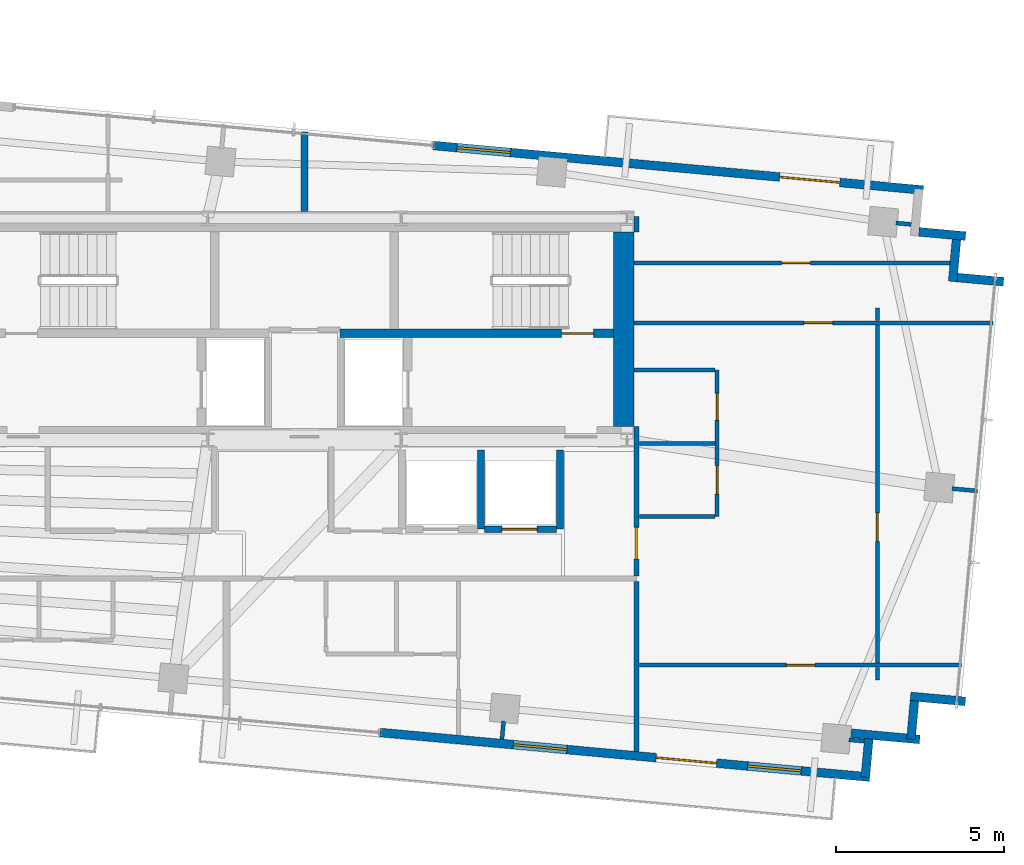
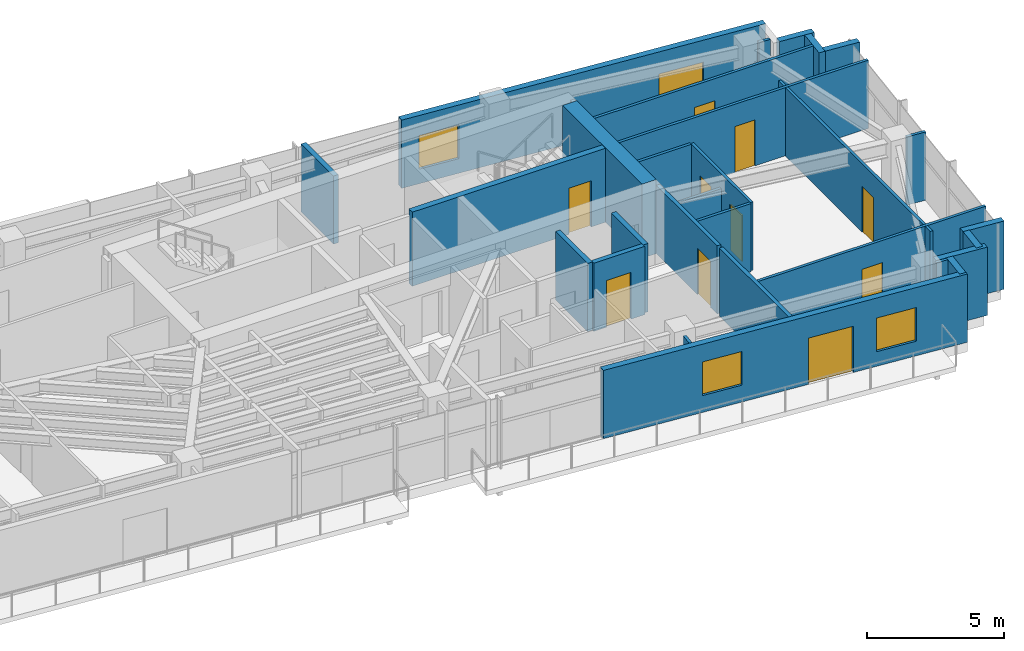
# One storey, part 18 of 22: 32 walls, 11 doors, 3 windows, 14 openings.
"""IFC4 building model written with IfcOpenShell, lengths in metres."""

from ifc_helpers import new_model, si_unit, direction, frame, frame_2d, origin, place, context, subcontext, project, spatial, rectangle, extrude, source, transform, mapped, material, layer, layer_set, type_object, type_shapes, element, fill, save


model = new_model("IFC4")

# Units and contexts
model_context = context("Model", 3, precision=1e-05, world=origin(), true_north=direction((0.0, 1.0)))
body_context = subcontext(model_context, "Body", "Model", "MODEL_VIEW")
ifc_project = project(units=[si_unit("LENGTHUNIT", "METRE"), si_unit("AREAUNIT", "SQUARE_METRE"), si_unit("VOLUMEUNIT", "CUBIC_METRE"), si_unit("PLANEANGLEUNIT", "RADIAN"), si_unit("MASSUNIT", "GRAM", prefix="KILO")], contexts=[model_context])

# Site, building, storey
site_placement = place(None, origin())
site = spatial("IfcSite", under=ifc_project, at=site_placement, CompositionType="ELEMENT")
building_placement = place(site_placement, origin())
building = spatial("IfcBuilding", under=site, at=building_placement, Name="Astriad Promenade Condominiums", CompositionType="ELEMENT")
storey_placement = place(building_placement, frame((0.0, 0.0, 216.60009765625)))
storey = spatial("IfcBuildingStorey", under=building, at=storey_placement, Name="L62", CompositionType="ELEMENT", Elevation=216.60009765625)

# Wall
ifc_material_1 = material(Name="Concrete C50/60", Category="concrete")
ifc_layer_1 = layer(ifc_material_1, 0.60009765625)
ifc_layer_set_1 = layer_set([ifc_layer_1], Name="Concrete C50/60")
wall_type_1 = type_object("IfcWallType", Name="CW-SHEAR-600", PredefinedType="SHEAR", material=ifc_layer_set_1)
wall_1_placement = place(storey_placement, frame((45.5, 17.802001953125, 0.0), z_axis=(0.0, 0.0, 1.0), x_axis=(0.0, 1.0, 0.0)))
element("IfcWall", 1, at=wall_1_placement, inside=storey, type_object=wall_type_1, Name="CW-CORE-E-L62", PredefinedType="SHEAR", context=body_context, shape_type="SweptSolid", body=[
    extrude(rectangle(XDim=5.7958984375, YDim=0.60009765625, at=frame_2d((2.89794921875, 0.0))), origin(), (0.0, 0.0, 1.0), 3.2998046875),
])

# Wall, opening, door
ifc_layer_2 = layer(ifc_material_1, 0.25)
ifc_layer_set_2 = layer_set([ifc_layer_2], Name="Concrete C50/60")
wall_type_2 = type_object("IfcWallType", Name="WALL-CORE-INT-250", PredefinedType="SOLIDWALL", material=ifc_layer_set_2)
wall_2_placement = place(storey_placement, frame((37.050048828125, 20.574951171875, 0.0), z_axis=(0.0, 0.0, 1.0), x_axis=(1.0, 0.0, 0.0)))
wall_2 = element("IfcWall", 2, at=wall_2_placement, inside=storey, type_object=wall_type_2, Name="CW-INT-H2-L62", PredefinedType="SOLIDWALL", context=body_context, shape_type="SweptSolid", body=[
    extrude(rectangle(XDim=8.14794921875, YDim=0.25, at=frame_2d((4.073974609375, 0.0))), origin(), (0.0, 0.0, 1.0), 3.2998046875),
])
opening_1_placement = place(wall_2_placement, frame((6.60009765625, 0.0, 0.0)))
opening_1 = element("IfcOpeningElement", 3, at=opening_1_placement, cuts=wall_2, Name="Opening FD90-ST-095", PredefinedType="OPENING", context=body_context, shape_type="SweptSolid", body=[
    extrude(rectangle(XDim=0.949951171875, YDim=2.06005859375, at=frame_2d((0.47509765625, 1.030029296875))), frame((0.0, 0.135009765625, 0.0), z_axis=(0.0, -1.0, 0.0), x_axis=(1.0, 0.0, 0.0)), (0.0, 0.0, 1.0), 0.27001953125),
])
ifc_material_2 = material(Name="Fire-Rated Hollow Metal Stair Door")
door_type_1 = type_object("IfcDoorType", Name="FD90-ST-095", OperationType="NOTDEFINED", PredefinedType="DOOR", material=ifc_material_2)
shared_shape_1 = source(origin(), body_context, "Body", "SweptSolid", [
    extrude(rectangle(XDim=0.949951171875, YDim=2.06005859375, at=frame_2d((0.47509765625, 1.030029296875))), frame((0.0, 0.02490234375, 0.0), z_axis=(0.0, -1.0, 0.0), x_axis=(1.0, 0.0, 0.0)), (0.0, 0.0, 1.0), 0.050048828125),
])
type_shapes(door_type_1, [shared_shape_1])
door_1_placement = place(opening_1_placement, origin())
door_1 = element("IfcDoor", 4, at=door_1_placement, inside=storey, type_object=door_type_1, Name="D-ST2-L62", OperationType="SINGLE_SWING_LEFT", OverallHeight=2.06005859375, OverallWidth=0.949951171875, PredefinedType="DOOR", context=body_context, shape_type="MappedRepresentation", body=[
    mapped(shared_shape_1, transform((0.0, 0.0, 0.0), scale=1.0)),
])
fill(opening_1, door_1)

# Wall
ifc_material_3 = material(Name="Fire-Rated Gypsum Partition")
ifc_layer_3 = layer(ifc_material_3, 0.159912109375)
ifc_layer_set_3 = layer_set([ifc_layer_3], Name="Fire-Rated Gypsum Partition")
wall_type_3 = type_object("IfcWallType", Name="WALL-CORR-160", PredefinedType="PARTITIONING", material=ifc_layer_set_3)
wall_3_placement = place(storey_placement, frame((45.8798828125, 8.135986328125, 0.0), z_axis=(0.0, 0.0, 1.0), x_axis=(0.0, 1.0, 0.0)))
element("IfcWall", 5, at=wall_3_placement, inside=storey, type_object=wall_type_3, Name="PT-COR-E-L62", PredefinedType="PARTITIONING", context=body_context, shape_type="SweptSolid", body=[
    extrude(rectangle(XDim=5.06201171875, YDim=0.159912109375, at=frame_2d((2.531005859375, 0.0))), origin(), (0.0, 0.0, 1.0), 3.039794921875),
])

# Wall, opening, door
wall_4_placement = place(storey_placement, frame((45.8798828125, 13.362060546875, 0.0), z_axis=(0.0, 0.0, 1.0), x_axis=(0.0, 1.0, 0.0)))
wall_4 = element("IfcWall", 6, at=wall_4_placement, inside=storey, type_object=wall_type_3, Name="PT-COR-E-L62-S2", PredefinedType="PARTITIONING", context=body_context, shape_type="SweptSolid", body=[
    extrude(rectangle(XDim=4.43994140625, YDim=0.159912109375, at=frame_2d((2.219970703125, 0.0))), origin(), (0.0, 0.0, 1.0), 3.039794921875),
])
opening_2_placement = place(wall_4_placement, frame((0.492919921875, 0.0, 0.0)))
opening_2 = element("IfcOpeningElement", 7, at=opening_2_placement, cuts=wall_4, Name="Opening FD60-APT-095", PredefinedType="OPENING", context=body_context, shape_type="SweptSolid", body=[
    extrude(rectangle(XDim=0.949951171875, YDim=2.06005859375, at=frame_2d((0.47509765625, 1.030029296875))), frame((0.0, 0.08984375, 0.0), z_axis=(0.0, -1.0, 0.0), x_axis=(1.0, 0.0, 0.0)), (0.0, 0.0, 1.0), 0.179931640625),
])
ifc_material_4 = material(Name="Solid-Core Acoustic Timber Residence Entry Door", Category="wood")
door_type_2 = type_object("IfcDoorType", Name="FD60-APT-095", OperationType="NOTDEFINED", PredefinedType="DOOR", material=ifc_material_4)
shared_shape_2 = source(origin(), body_context, "Body", "SweptSolid", [
    extrude(rectangle(XDim=0.949951171875, YDim=2.06005859375, at=frame_2d((0.47509765625, 1.030029296875))), frame((0.0, 0.02490234375, 0.0), z_axis=(0.0, -1.0, 0.0), x_axis=(1.0, 0.0, 0.0)), (0.0, 0.0, 1.0), 0.050048828125),
])
type_shapes(door_type_2, [shared_shape_2])
door_2_placement = place(opening_2_placement, origin())
door_2 = element("IfcDoor", 8, at=door_2_placement, inside=storey, type_object=door_type_2, Name="D-ENT-L62-E1", OperationType="SINGLE_SWING_RIGHT", OverallHeight=2.06005859375, OverallWidth=0.949951171875, PredefinedType="DOOR", context=body_context, shape_type="MappedRepresentation", body=[
    mapped(shared_shape_2, transform((0.0, 0.0, 0.0), scale=1.0)),
])
fill(opening_2, door_2)

# Walls
wall_5_placement = place(storey_placement, frame((45.8798828125, 23.597900390625, 0.0), z_axis=(0.0, 0.0, 1.0), x_axis=(0.0, 1.0, 0.0)))
element("IfcWall", 9, at=wall_5_placement, inside=storey, type_object=wall_type_3, Name="PT-COR-E-L62-S3", PredefinedType="PARTITIONING", context=body_context, shape_type="SweptSolid", body=[
    extrude(rectangle(XDim=0.4521484375, YDim=0.159912109375, at=frame_2d((0.22607421875, 0.0))), origin(), (0.0, 0.0, 1.0), 3.039794921875),
])
ifc_material_5 = material(Name="Acoustic Double-Stud Gypsum Partition")
ifc_layer_4 = layer(ifc_material_5, 0.199951171875)
ifc_layer_set_4 = layer_set([ifc_layer_4], Name="Acoustic Double-Stud Gypsum Partition")
wall_type_4 = type_object("IfcWallType", Name="WALL-DEMISING-200", PredefinedType="PARTITIONING", material=ifc_layer_set_4)
wall_6_placement = place(storey_placement, frame((36.0, 24.201904296875, 0.0), z_axis=(0.0, 0.0, 1.0), x_axis=(0.0, 1.0, 0.0)))
element("IfcWall", 10, at=wall_6_placement, inside=storey, type_object=wall_type_4, Name="PT-NC-MID-L62", PredefinedType="PARTITIONING", context=body_context, shape_type="SweptSolid", body=[
    extrude(rectangle(XDim=2.36328125, YDim=0.199951171875, at=frame_2d((1.181640625, 0.0))), origin(), (0.0, 0.0, 1.0), 3.039794921875),
])

# Wall, openings, door, window
ifc_material_6 = material(Name="Precast concrete C50/60", Category="concrete")
ifc_layer_5 = layer(ifc_material_6, 0.260009765625)
ifc_layer_set_5 = layer_set([ifc_layer_5], Name="Precast concrete C50/60")
wall_type_5 = type_object("IfcWallType", Name="WALL-EXT-TWR-260", PredefinedType="STANDARD", material=ifc_layer_set_5)
wall_7_placement = place(storey_placement, frame((39.839111328125, 26.16552734375, 0.0), z_axis=(0.0, 0.0, 1.0), x_axis=(0.995884447498, -0.090632043071, 0.0)))
wall_7 = element("IfcWall", 11, at=wall_7_placement, inside=storey, type_object=wall_type_5, Name="W-EXT-L62-N2", PredefinedType="STANDARD", context=body_context, shape_type="SweptSolid", body=[
    extrude(rectangle(XDim=14.6298828125, YDim=0.260009765625, at=frame_2d((7.31494140625, 0.0))), origin(), (0.0, 0.0, 1.0), 3.039794921875),
])
opening_3_placement = place(wall_7_placement, frame((10.340087890625, 0.0, 0.0)))
opening_3 = element("IfcOpeningElement", 12, at=opening_3_placement, cuts=wall_7, Name="Opening BD-1822-SLD", PredefinedType="OPENING", context=body_context, shape_type="SweptSolid", body=[
    extrude(rectangle(XDim=1.800048828125, YDim=2.06005859375, at=frame_2d((0.89990234375, 1.030029296875))), frame((0.0, 0.139892578125, 0.0), z_axis=(0.0, -1.0, 0.0), x_axis=(1.0, 0.0, 0.0)), (0.0, 0.0, 1.0), 0.280029296875),
])
opening_4_placement = place(wall_7_placement, frame((0.699951171875, 0.0, 0.64990234375)))
opening_4 = element("IfcOpeningElement", 13, at=opening_4_placement, cuts=wall_7, Name="Opening WIN-TWR-1620", PredefinedType="OPENING", context=body_context, shape_type="SweptSolid", body=[
    extrude(rectangle(XDim=1.60009765625, YDim=1.5, at=frame_2d((0.800048828125, 0.75))), frame((0.0, 0.139892578125, 0.0), z_axis=(0.0, -1.0, 0.0), x_axis=(1.0, 0.0, 0.0)), (0.0, 0.0, 1.0), 0.280029296875),
])
ifc_material_7 = material(Name="Thermally Broken Aluminium Sliding Balcony Door", Category="aluminium")
door_type_3 = type_object("IfcDoorType", Name="BD-1822-SLD", OperationType="NOTDEFINED", PredefinedType="DOOR", material=ifc_material_7)
shared_shape_3 = source(origin(), body_context, "Body", "SweptSolid", [
    extrude(rectangle(XDim=1.800048828125, YDim=2.06005859375, at=frame_2d((0.89990234375, 1.030029296875))), frame((0.0, 0.02490234375, 0.0), z_axis=(0.0, -1.0, 0.0), x_axis=(1.0, 0.0, 0.0)), (0.0, 0.0, 1.0), 0.050048828125),
])
type_shapes(door_type_3, [shared_shape_3])
door_3_placement = place(opening_3_placement, origin())
door_3 = element("IfcDoor", 14, at=door_3_placement, inside=storey, type_object=door_type_3, Name="BD-L62-NE", OperationType="SLIDING_TO_RIGHT", OverallHeight=2.06005859375, OverallWidth=1.800048828125, PredefinedType="DOOR", context=body_context, shape_type="MappedRepresentation", body=[
    mapped(shared_shape_3, transform((0.0, 0.0, 0.0), scale=1.0)),
])
fill(opening_3, door_3)
ifc_material_8 = material(Name="Dark Tinted Triple-Glazed Aluminium Window", Category="aluminium")
window_type = type_object("IfcWindowType", Name="WIN-TWR-1620", PartitioningType="SINGLE_PANEL", PredefinedType="WINDOW", material=ifc_material_8)
shared_shape_4 = source(origin(), body_context, "Body", "SweptSolid", [
    extrude(rectangle(XDim=1.60009765625, YDim=1.5, at=frame_2d((0.800048828125, 0.75))), frame((0.0, 0.030029296875, 0.0), z_axis=(0.0, -1.0, 0.0), x_axis=(1.0, 0.0, 0.0)), (0.0, 0.0, 1.0), 0.06005859375),
])
type_shapes(window_type, [shared_shape_4])
window_1_placement = place(opening_4_placement, origin())
window_1 = element("IfcWindow", 15, at=window_1_placement, inside=storey, type_object=window_type, Name="WIN-L62-NE", OverallHeight=1.5, OverallWidth=1.60009765625, PartitioningType="SINGLE_PANEL", PredefinedType="WINDOW", context=body_context, shape_type="MappedRepresentation", body=[
    mapped(shared_shape_4, transform((0.0, 0.0, 0.0), scale=1.0)),
])
fill(opening_4, window_1)

# Walls
for number, where, z_axis, x_axis, name in (
    (16, (54.280517578125, 23.59619140625, 0.0), (0.0, 0.0, 1.0), (0.995883159782, -0.090646191665, 0.0), "W-SER-L62-10"),
    (17, (55.412353515625, 23.50830078125, 0.0), (0.0, 0.0, 1.0), (-0.090646191665, -0.995883159782, 0.0), "W-SER-L62-11"),
    (18, (55.412109375, 22.238037109375, 0.0), (0.0, 0.0, 1.0), (0.995883159782, -0.090646191665, 0.0), "W-SER-L62-12"),
):
    element("IfcWall", number, at=place(storey_placement, frame(where, z_axis=z_axis, x_axis=x_axis)), inside=storey, type_object=wall_type_5, Name=name, PredefinedType="STANDARD", context=body_context, shape_type="SweptSolid", body=[
        extrude(rectangle(XDim=1.395263671875, YDim=0.260009765625, at=frame_2d((0.69775390625, 0.0))), origin(), (0.0, 0.0, 1.0), 3.039794921875),
    ])
wall_8_placement = place(storey_placement, frame((55.664794921875, 9.623291015625, 0.0), z_axis=(0.0, 0.0, 1.0), x_axis=(-0.995880993864, 0.090669984342, 0.0)))
element("IfcWall", 19, at=wall_8_placement, inside=storey, type_object=wall_type_5, Name="W-SER-L62-14", PredefinedType="STANDARD", context=body_context, shape_type="SweptSolid", body=[
    extrude(rectangle(XDim=1.639892578125, YDim=0.260009765625, at=frame_2d((0.81982421875, 0.0))), origin(), (0.0, 0.0, 1.0), 3.039794921875),
])
wall_9_placement = place(storey_placement, frame((54.150634765625, 9.6455078125, 0.0), z_axis=(0.0, 0.0, 1.0), x_axis=(-0.090650594353, -0.995882759035, 0.0)))
element("IfcWall", 20, at=wall_9_placement, inside=storey, type_object=wall_type_5, Name="W-SER-L62-15", PredefinedType="STANDARD", context=body_context, shape_type="SweptSolid", body=[
    extrude(rectangle(XDim=1.14990234375, YDim=0.260009765625, at=frame_2d((0.574951171875, 0.0))), origin(), (0.0, 0.0, 1.0), 3.039794921875),
])
wall_10_placement = place(storey_placement, frame((54.306884765625, 8.49169921875, 0.0), z_axis=(0.0, 0.0, 1.0), x_axis=(-0.995886380831, 0.09061079668, 0.0)))
element("IfcWall", 21, at=wall_10_placement, inside=storey, type_object=wall_type_5, Name="W-SER-L62-16", PredefinedType="STANDARD", context=body_context, shape_type="SweptSolid", body=[
    extrude(rectangle(XDim=2.05322265625, YDim=0.260009765625, at=frame_2d((1.026611328125, 0.0))), origin(), (0.0, 0.0, 1.0), 3.039794921875),
])
wall_11_placement = place(storey_placement, frame((52.79248046875, 8.513916015625, 0.0), z_axis=(0.0, 0.0, 1.0), x_axis=(-0.090650594353, -0.995882759035, 0.0)))
element("IfcWall", 22, at=wall_11_placement, inside=storey, type_object=wall_type_5, Name="W-SER-L62-17", PredefinedType="STANDARD", context=body_context, shape_type="SweptSolid", body=[
    extrude(rectangle(XDim=1.14990234375, YDim=0.260009765625, at=frame_2d((0.574951171875, 0.0))), origin(), (0.0, 0.0, 1.0), 3.039794921875),
])

# Wall, openings, door, windows
wall_12_placement = place(storey_placement, frame((52.819091796875, 7.371826171875, 0.0), z_axis=(0.0, 0.0, 1.0), x_axis=(-0.995884447498, 0.090632043071, 0.0)))
wall_12 = element("IfcWall", 23, at=wall_12_placement, inside=storey, type_object=wall_type_5, Name="W-EXT-L62-S1", PredefinedType="STANDARD", context=body_context, shape_type="SweptSolid", body=[
    extrude(rectangle(XDim=14.6298828125, YDim=0.260009765625, at=frame_2d((7.31494140625, 0.0))), origin(), (0.0, 0.0, 1.0), 3.039794921875),
])
opening_5_placement = place(wall_12_placement, frame((4.5791015625, 0.0, 0.0)))
opening_5 = element("IfcOpeningElement", 24, at=opening_5_placement, cuts=wall_12, Name="Opening BD-1822-SLD", PredefinedType="OPENING", context=body_context, shape_type="SweptSolid", body=[
    extrude(rectangle(XDim=1.800048828125, YDim=2.06005859375, at=frame_2d((0.89990234375, 1.030029296875))), frame((0.0, 0.139892578125, 0.0), z_axis=(0.0, -1.0, 0.0), x_axis=(1.0, 0.0, 0.0)), (0.0, 0.0, 1.0), 0.280029296875),
])
opening_6_placement = place(wall_12_placement, frame((2.050048828125, 0.0, 0.64990234375)))
opening_6 = element("IfcOpeningElement", 25, at=opening_6_placement, cuts=wall_12, Name="Opening WIN-TWR-1620", PredefinedType="OPENING", context=body_context, shape_type="SweptSolid", body=[
    extrude(rectangle(XDim=1.60009765625, YDim=1.5, at=frame_2d((0.800048828125, 0.75))), frame((0.0, 0.139892578125, 0.0), z_axis=(0.0, -1.0, 0.0), x_axis=(1.0, 0.0, 0.0)), (0.0, 0.0, 1.0), 0.280029296875),
])
opening_7_placement = place(wall_12_placement, frame((9.048095703125, 0.0, 0.75)))
opening_7 = element("IfcOpeningElement", 26, at=opening_7_placement, cuts=wall_12, Name="Opening WIN-TWR-1620", PredefinedType="OPENING", context=body_context, shape_type="SweptSolid", body=[
    extrude(rectangle(XDim=1.60009765625, YDim=1.5, at=frame_2d((0.800048828125, 0.75))), frame((0.0, 0.139892578125, 0.0), z_axis=(0.0, -1.0, 0.0), x_axis=(1.0, 0.0, 0.0)), (0.0, 0.0, 1.0), 0.280029296875),
])
door_4_placement = place(opening_5_placement, origin())
door_4 = element("IfcDoor", 27, at=door_4_placement, inside=storey, type_object=door_type_3, Name="BD-L62-SE", OperationType="SLIDING_TO_RIGHT", OverallHeight=2.06005859375, OverallWidth=1.800048828125, PredefinedType="DOOR", context=body_context, shape_type="MappedRepresentation", body=[
    mapped(shared_shape_3, transform((0.0, 0.0, 0.0), scale=1.0)),
])
fill(opening_5, door_4)
window_2_placement = place(opening_6_placement, origin())
window_2 = element("IfcWindow", 28, at=window_2_placement, inside=storey, type_object=window_type, Name="WIN-L62-SE", OverallHeight=1.5, OverallWidth=1.60009765625, PartitioningType="SINGLE_PANEL", PredefinedType="WINDOW", context=body_context, shape_type="MappedRepresentation", body=[
    mapped(shared_shape_4, transform((0.0, 0.0, 0.0), scale=1.0)),
])
fill(opening_6, window_2)
window_3_placement = place(opening_7_placement, origin())
window_3 = element("IfcWindow", 29, at=window_3_placement, inside=storey, type_object=window_type, Name="WIN-DW-L62-S2-BD1", OverallHeight=1.5, OverallWidth=1.60009765625, PartitioningType="SINGLE_PANEL", PredefinedType="WINDOW", context=body_context, shape_type="MappedRepresentation", body=[
    mapped(shared_shape_4, transform((0.0, 0.0, 0.0), scale=1.0)),
])
fill(opening_7, window_3)

# Wall, openings, doors
ifc_material_9 = material(Name="Acoustic Metal-Stud Gypsum Partition")
ifc_layer_6 = layer(ifc_material_9, 0.1201171875)
ifc_layer_set_6 = layer_set([ifc_layer_6], Name="Acoustic Metal-Stud Gypsum Partition")
wall_type_6 = type_object("IfcWallType", Name="WALL-PART-120", PredefinedType="PARTITIONING", material=ifc_layer_set_6)
wall_13_placement = place(storey_placement, frame((48.280029296875, 15.1298828125, 0.0), z_axis=(0.0, 0.0, 1.0), x_axis=(0.0, 1.0, 0.0)))
wall_13 = element("IfcWall", 30, at=wall_13_placement, inside=storey, type_object=wall_type_6, Name="PT-L62-E1-PV", PredefinedType="PARTITIONING", context=body_context, shape_type="SweptSolid", body=[
    extrude(rectangle(XDim=4.35009765625, YDim=0.1201171875, at=frame_2d((2.175048828125, 0.0))), origin(), (0.0, 0.0, 1.0), 3.039794921875),
])
opening_8_placement = place(wall_13_placement, frame((0.6630859375, 0.0, 0.0)))
opening_8 = element("IfcOpeningElement", 31, at=opening_8_placement, cuts=wall_13, Name="Opening D-INT-085", PredefinedType="OPENING", context=body_context, shape_type="SweptSolid", body=[
    extrude(rectangle(XDim=0.85009765625, YDim=2.050048828125, at=frame_2d((0.425048828125, 1.02490234375))), frame((0.0, 0.070068359375, 0.0), z_axis=(0.0, -1.0, 0.0), x_axis=(1.0, 0.0, 0.0)), (0.0, 0.0, 1.0), 0.14013671875),
])
opening_9_placement = place(wall_13_placement, frame((2.862060546875, 0.0, 0.0)))
opening_9 = element("IfcOpeningElement", 32, at=opening_9_placement, cuts=wall_13, Name="Opening D-WET-080", PredefinedType="OPENING", context=body_context, shape_type="SweptSolid", body=[
    extrude(rectangle(XDim=0.800048828125, YDim=2.02001953125, at=frame_2d((0.39990234375, 1.010009765625))), frame((0.0, 0.070068359375, 0.0), z_axis=(0.0, -1.0, 0.0), x_axis=(1.0, 0.0, 0.0)), (0.0, 0.0, 1.0), 0.14013671875),
])
ifc_material_10 = material(Name="Moisture-Resistant Timber Bathroom Door", Category="wood")
door_type_4 = type_object("IfcDoorType", Name="D-WET-080", OperationType="NOTDEFINED", PredefinedType="DOOR", material=ifc_material_10)
shared_shape_5 = source(origin(), body_context, "Body", "SweptSolid", [
    extrude(rectangle(XDim=0.800048828125, YDim=2.02001953125, at=frame_2d((0.39990234375, 1.010009765625))), frame((0.0, 0.02490234375, 0.0), z_axis=(0.0, -1.0, 0.0), x_axis=(1.0, 0.0, 0.0)), (0.0, 0.0, 1.0), 0.050048828125),
])
type_shapes(door_type_4, [shared_shape_5])
door_5_placement = place(opening_9_placement, origin())
door_5 = element("IfcDoor", 33, at=door_5_placement, inside=storey, type_object=door_type_4, Name="D-BTH-L62-E1", OperationType="SINGLE_SWING_RIGHT", OverallHeight=2.02001953125, OverallWidth=0.800048828125, PredefinedType="DOOR", context=body_context, shape_type="MappedRepresentation", body=[
    mapped(shared_shape_5, transform((0.0, 0.0, 0.0), scale=1.0)),
])
fill(opening_9, door_5)
ifc_material_11 = material(Name="Painted Solid-Core Timber Room Door", Category="wood")
door_type_5 = type_object("IfcDoorType", Name="D-INT-085", OperationType="NOTDEFINED", PredefinedType="DOOR", material=ifc_material_11)
shared_shape_6 = source(origin(), body_context, "Body", "SweptSolid", [
    extrude(rectangle(XDim=0.85009765625, YDim=2.050048828125, at=frame_2d((0.425048828125, 1.02490234375))), frame((0.0, 0.02490234375, 0.0), z_axis=(0.0, -1.0, 0.0), x_axis=(1.0, 0.0, 0.0)), (0.0, 0.0, 1.0), 0.050048828125),
])
type_shapes(door_type_5, [shared_shape_6])
door_6_placement = place(opening_8_placement, origin())
door_6 = element("IfcDoor", 34, at=door_6_placement, inside=storey, type_object=door_type_5, Name="D-KIT-L62-E1", OperationType="SINGLE_SWING_LEFT", OverallHeight=2.050048828125, OverallWidth=0.85009765625, PredefinedType="DOOR", context=body_context, shape_type="MappedRepresentation", body=[
    mapped(shared_shape_6, transform((0.0, 0.0, 0.0), scale=1.0)),
])
fill(opening_8, door_6)

# Walls
wall_14_placement = place(storey_placement, frame((45.9619140625, 17.304931640625, 0.0), z_axis=(0.0, 0.0, 1.0), x_axis=(1.0, 0.0, 0.0)))
element("IfcWall", 35, at=wall_14_placement, inside=storey, type_object=wall_type_6, Name="PT-L62-E1-PM", PredefinedType="PARTITIONING", context=body_context, shape_type="SweptSolid", body=[
    extrude(rectangle(XDim=2.256103515625, YDim=0.1201171875, at=frame_2d((1.1279296875, 0.0))), origin(), (0.0, 0.0, 1.0), 2.38134765625),
])
wall_15_placement = place(storey_placement, frame((45.9619140625, 15.1298828125, 0.0), z_axis=(0.0, 0.0, 1.0), x_axis=(1.0, 0.0, 0.0)))
element("IfcWall", 36, at=wall_15_placement, inside=storey, type_object=wall_type_6, Name="PT-L62-E1-PS", PredefinedType="PARTITIONING", context=body_context, shape_type="SweptSolid", body=[
    extrude(rectangle(XDim=2.256103515625, YDim=0.1201171875, at=frame_2d((1.1279296875, 0.0))), origin(), (0.0, 0.0, 1.0), 3.039794921875),
])
wall_16_placement = place(storey_placement, frame((45.802001953125, 19.47998046875, 0.0), z_axis=(0.0, 0.0, 1.0), x_axis=(1.0, 0.0, 0.0)))
element("IfcWall", 37, at=wall_16_placement, inside=storey, type_object=wall_type_6, Name="PT-L62-E1-PN", PredefinedType="PARTITIONING", context=body_context, shape_type="SweptSolid", body=[
    extrude(rectangle(XDim=2.416015625, YDim=0.1201171875, at=frame_2d((1.2080078125, 0.0))), origin(), (0.0, 0.0, 1.0), 3.039794921875),
])

# Wall, opening, door
wall_17_placement = place(storey_placement, frame((45.802001953125, 22.673095703125, 0.0), z_axis=(0.0, 0.0, 1.0), x_axis=(1.0, 0.0, 0.0)))
wall_17 = element("IfcWall", 38, at=wall_17_placement, inside=storey, type_object=wall_type_6, Name="PT-L62-E1-WDN1", PredefinedType="PARTITIONING", context=body_context, shape_type="SweptSolid", body=[
    extrude(rectangle(XDim=9.401611328125, YDim=0.1201171875, at=frame_2d((4.70068359375, 0.0))), origin(), (0.0, 0.0, 1.0), 3.039794921875),
])
opening_10_placement = place(wall_17_placement, frame((4.39697265625, 0.0, 0.0)))
opening_10 = element("IfcOpeningElement", 39, at=opening_10_placement, cuts=wall_17, Name="Opening D-INT-085", PredefinedType="OPENING", context=body_context, shape_type="SweptSolid", body=[
    extrude(rectangle(XDim=0.85009765625, YDim=2.050048828125, at=frame_2d((0.425048828125, 1.02490234375))), frame((0.0, 0.070068359375, 0.0), z_axis=(0.0, -1.0, 0.0), x_axis=(1.0, 0.0, 0.0)), (0.0, 0.0, 1.0), 0.14013671875),
])
door_7_placement = place(opening_10_placement, origin())
door_7 = element("IfcDoor", 40, at=door_7_placement, inside=storey, type_object=door_type_5, Name="D-WDN1-L62-E1", OperationType="SINGLE_SWING_LEFT", OverallHeight=2.050048828125, OverallWidth=0.85009765625, PredefinedType="DOOR", context=body_context, shape_type="MappedRepresentation", body=[
    mapped(shared_shape_6, transform((0.0, 0.0, 0.0), scale=1.0)),
])
fill(opening_10, door_7)

wall_18_placement = place(storey_placement, frame((45.9619140625, 10.701904296875, 0.0), z_axis=(0.0, 0.0, 1.0), x_axis=(1.0, 0.0, 0.0)))
wall_18 = element("IfcWall", 41, at=wall_18_placement, inside=storey, type_object=wall_type_6, Name="PT-L62-E1-WDS2", PredefinedType="PARTITIONING", context=body_context, shape_type="SweptSolid", body=[
    extrude(rectangle(XDim=9.59033203125, YDim=0.1201171875, at=frame_2d((4.795166015625, 0.0))), origin(), (0.0, 0.0, 1.0), 3.039794921875),
])
opening_11_placement = place(wall_18_placement, frame((4.3759765625, 0.0, 0.0)))
opening_11 = element("IfcOpeningElement", 42, at=opening_11_placement, cuts=wall_18, Name="Opening D-INT-085", PredefinedType="OPENING", context=body_context, shape_type="SweptSolid", body=[
    extrude(rectangle(XDim=0.85009765625, YDim=2.050048828125, at=frame_2d((0.425048828125, 1.02490234375))), frame((0.0, 0.070068359375, 0.0), z_axis=(0.0, -1.0, 0.0), x_axis=(1.0, 0.0, 0.0)), (0.0, 0.0, 1.0), 0.14013671875),
])
door_8_placement = place(opening_11_placement, origin())
door_8 = element("IfcDoor", 43, at=door_8_placement, inside=storey, type_object=door_type_5, Name="D-WDS2-L62-E1", OperationType="SINGLE_SWING_RIGHT", OverallHeight=2.050048828125, OverallWidth=0.85009765625, PredefinedType="DOOR", context=body_context, shape_type="MappedRepresentation", body=[
    mapped(shared_shape_6, transform((0.0, 0.0, 0.0), scale=1.0)),
])
fill(opening_11, door_8)

wall_19_placement = place(storey_placement, frame((45.802001953125, 20.889892578125, 0.0), z_axis=(0.0, 0.0, 1.0), x_axis=(1.0, 0.0, 0.0)))
wall_19 = element("IfcWall", 44, at=wall_19_placement, inside=storey, type_object=wall_type_6, Name="PT-L62-E1-WDN3", PredefinedType="PARTITIONING", context=body_context, shape_type="SweptSolid", body=[
    extrude(rectangle(XDim=10.67724609375, YDim=0.1201171875, at=frame_2d((5.338623046875, 0.0))), origin(), (0.0, 0.0, 1.0), 3.039794921875),
])
opening_12_placement = place(wall_19_placement, frame((5.06201171875, 0.0, 0.0)))
opening_12 = element("IfcOpeningElement", 45, at=opening_12_placement, cuts=wall_19, Name="Opening D-INT-085", PredefinedType="OPENING", context=body_context, shape_type="SweptSolid", body=[
    extrude(rectangle(XDim=0.85009765625, YDim=2.050048828125, at=frame_2d((0.425048828125, 1.02490234375))), frame((0.0, 0.070068359375, 0.0), z_axis=(0.0, -1.0, 0.0), x_axis=(1.0, 0.0, 0.0)), (0.0, 0.0, 1.0), 0.14013671875),
])
door_9_placement = place(opening_12_placement, origin())
door_9 = element("IfcDoor", 46, at=door_9_placement, inside=storey, type_object=door_type_5, Name="D-WDN3-L62-E1", OperationType="SINGLE_SWING_LEFT", OverallHeight=2.050048828125, OverallWidth=0.85009765625, PredefinedType="DOOR", context=body_context, shape_type="MappedRepresentation", body=[
    mapped(shared_shape_6, transform((0.0, 0.0, 0.0), scale=1.0)),
])
fill(opening_12, door_9)

# Wall
wall_20_placement = place(storey_placement, frame((53.0439453125, 10.261962890625, 0.0), z_axis=(0.0, 0.0, 1.0), x_axis=(0.0, 1.0, 0.0)))
element("IfcWall", 47, at=wall_20_placement, inside=storey, type_object=wall_type_6, Name="PT-L62-E1-WDV4", PredefinedType="PARTITIONING", context=body_context, shape_type="SweptSolid", body=[
    extrude(rectangle(XDim=0.3779296875, YDim=0.1201171875, at=frame_2d((0.18896484375, 0.0))), origin(), (0.0, 0.0, 1.0), 3.039794921875),
])

# Wall, opening, door
wall_21_placement = place(storey_placement, frame((53.0439453125, 10.763916015625, 0.0), z_axis=(0.0, 0.0, 1.0), x_axis=(0.0, 1.0, 0.0)))
wall_21 = element("IfcWall", 48, at=wall_21_placement, inside=storey, type_object=wall_type_6, Name="PT-L62-E1-WDV4-S2", PredefinedType="PARTITIONING", context=body_context, shape_type="SweptSolid", body=[
    extrude(rectangle(XDim=10.06396484375, YDim=0.1201171875, at=frame_2d((5.031982421875, 0.0))), origin(), (0.0, 0.0, 1.0), 3.039794921875),
])
opening_13_placement = place(wall_21_placement, frame((3.6201171875, 0.0, 0.0)))
opening_13 = element("IfcOpeningElement", 49, at=opening_13_placement, cuts=wall_21, Name="Opening D-INT-085", PredefinedType="OPENING", context=body_context, shape_type="SweptSolid", body=[
    extrude(rectangle(XDim=0.85009765625, YDim=2.050048828125, at=frame_2d((0.425048828125, 1.02490234375))), frame((0.0, 0.070068359375, 0.0), z_axis=(0.0, -1.0, 0.0), x_axis=(1.0, 0.0, 0.0)), (0.0, 0.0, 1.0), 0.14013671875),
])
door_10_placement = place(opening_13_placement, origin())
door_10 = element("IfcDoor", 50, at=door_10_placement, inside=storey, type_object=door_type_5, Name="D-WDV4-L62-E1", OperationType="SINGLE_SWING_RIGHT", OverallHeight=2.050048828125, OverallWidth=0.85009765625, PredefinedType="DOOR", context=body_context, shape_type="MappedRepresentation", body=[
    mapped(shared_shape_6, transform((0.0, 0.0, 0.0), scale=1.0)),
])
fill(opening_13, door_10)

# Walls
wall_22_placement = place(storey_placement, frame((53.0439453125, 20.951904296875, 0.0), z_axis=(0.0, 0.0, 1.0), x_axis=(0.0, 1.0, 0.0)))
element("IfcWall", 51, at=wall_22_placement, inside=storey, type_object=wall_type_6, Name="PT-L62-E1-WDV4-S3", PredefinedType="PARTITIONING", context=body_context, shape_type="SweptSolid", body=[
    extrude(rectangle(XDim=0.378173828125, YDim=0.1201171875, at=frame_2d((0.18896484375, 0.0))), origin(), (0.0, 0.0, 1.0), 3.039794921875),
])
wall_23_placement = place(storey_placement, frame((41.92529296875, 9.0361328125, 0.0), z_axis=(0.0, 0.0, 1.0), x_axis=(-0.090740281653, -0.995874591144, 0.0)))
element("IfcWall", 52, at=wall_23_placement, inside=storey, type_object=wall_type_6, Name="PT-PIL-L62-PC04-11", PredefinedType="PARTITIONING", context=body_context, shape_type="SweptSolid", body=[
    extrude(rectangle(XDim=0.5380859375, YDim=0.1201171875, at=frame_2d((0.26904296875, 0.0))), origin(), (0.0, 0.0, 1.0), 3.039794921875),
])
for number, where, z_axis, x_axis, name in (
    (53, (52.197265625, 8.48291015625, 0.0), (0.0, 0.0, 1.0), (0.995884462012, -0.090631883588, 0.0), "PT-PIL-L62-PC05-12"),
    (54, (53.5966796875, 23.859375, 0.0), (0.0, 0.0, 1.0), (0.995884462012, -0.090631883588, 0.0), "PT-PIL-L62-PC10-17"),
):
    element("IfcWall", number, at=place(storey_placement, frame(where, z_axis=z_axis, x_axis=x_axis)), inside=storey, type_object=wall_type_6, Name=name, PredefinedType="PARTITIONING", context=body_context, shape_type="SweptSolid", body=[
        extrude(rectangle(XDim=0.4580078125, YDim=0.1201171875, at=frame_2d((0.22900390625, 0.0))), origin(), (0.0, 0.0, 1.0), 3.039794921875),
    ])
wall_24_placement = place(storey_placement, frame((55.26708984375, 15.955322265625, 0.0), z_axis=(0.0, 0.0, 1.0), x_axis=(0.995887938321, -0.09059367697, 0.0)))
element("IfcWall", 55, at=wall_24_placement, inside=storey, type_object=wall_type_6, Name="PT-PIL-L62-PC12-19", PredefinedType="PARTITIONING", context=body_context, shape_type="SweptSolid", body=[
    extrude(rectangle(XDim=0.760009765625, YDim=0.1201171875, at=frame_2d((0.3798828125, 0.0))), origin(), (0.0, 0.0, 1.0), 3.039794921875),
])
ifc_material_12 = material(Name="Gypsum Shaftliner Assembly")
ifc_layer_7 = layer(ifc_material_12, 0.199951171875)
ifc_layer_set_7 = layer_set([ifc_layer_7], Name="Gypsum Shaftliner Assembly")
wall_type_7 = type_object("IfcWallType", Name="WALL-SHAFT-200", PredefinedType="PARTITIONING", material=ifc_layer_set_7)
for number, where, z_axis, x_axis, name in (
    (56, (41.25, 14.75, 0.0), (0.0, 0.0, 1.0), (0.0, 1.0, 0.0), "PL-H-DIV-L62"),
    (57, (43.60009765625, 14.75, 0.0), (0.0, 0.0, 1.0), (0.0, 1.0, 0.0), "PL-E-OUT-L62"),
):
    element("IfcWall", number, at=place(storey_placement, frame(where, z_axis=z_axis, x_axis=x_axis)), inside=storey, type_object=wall_type_7, Name=name, PredefinedType="PARTITIONING", context=body_context, shape_type="SweptSolid", body=[
        extrude(rectangle(XDim=2.35009765625, YDim=0.199951171875, at=frame_2d((1.175048828125, 0.0))), origin(), (0.0, 0.0, 1.0), 3.039794921875),
    ])

# Wall, opening, door
wall_25_placement = place(storey_placement, frame((41.35205078125, 14.75, 0.0), z_axis=(0.0, 0.0, 1.0), x_axis=(1.0, 0.0, 0.0)))
wall_25 = element("IfcWall", 58, at=wall_25_placement, inside=storey, type_object=wall_type_7, Name="PL-H-FRT-L62-S2", PredefinedType="PARTITIONING", context=body_context, shape_type="SweptSolid", body=[
    extrude(rectangle(XDim=2.14599609375, YDim=0.199951171875, at=frame_2d((1.072998046875, 0.0))), origin(), (0.0, 0.0, 1.0), 3.039794921875),
])
opening_14_placement = place(wall_25_placement, frame((0.52294921875, 0.0, 0.0)))
opening_14 = element("IfcOpeningElement", 59, at=opening_14_placement, cuts=wall_25, Name="Opening LD-PL-10522", PredefinedType="OPENING", context=body_context, shape_type="SweptSolid", body=[
    extrude(rectangle(XDim=1.050048828125, YDim=2.080078125, at=frame_2d((0.52490234375, 1.0400390625))), frame((0.0, 0.10986328125, 0.0), z_axis=(0.0, -1.0, 0.0), x_axis=(1.0, 0.0, 0.0)), (0.0, 0.0, 1.0), 0.219970703125),
])
ifc_material_13 = material(Name="Brushed Bronze Passenger Elevator Landing Door")
door_type_6 = type_object("IfcDoorType", Name="LD-PL-10522", OperationType="NOTDEFINED", PredefinedType="DOOR", material=ifc_material_13)
shared_shape_7 = source(origin(), body_context, "Body", "SweptSolid", [
    extrude(rectangle(XDim=1.050048828125, YDim=2.080078125, at=frame_2d((0.52490234375, 1.0400390625))), frame((0.0, 0.02490234375, 0.0), z_axis=(0.0, -1.0, 0.0), x_axis=(1.0, 0.0, 0.0)), (0.0, 0.0, 1.0), 0.050048828125),
])
type_shapes(door_type_6, [shared_shape_7])
door_11_placement = place(opening_14_placement, origin())
door_11 = element("IfcDoor", 60, at=door_11_placement, inside=storey, type_object=door_type_6, Name="Elevator Landing Door PL-H2 (L62)", OperationType="SLIDING_TO_RIGHT", OverallHeight=2.080078125, OverallWidth=1.050048828125, PredefinedType="DOOR", context=body_context, shape_type="MappedRepresentation", body=[
    mapped(shared_shape_7, transform((0.0, 0.0, 0.0), scale=1.0)),
])
fill(opening_14, door_11)

save(model, "model.ifc")
